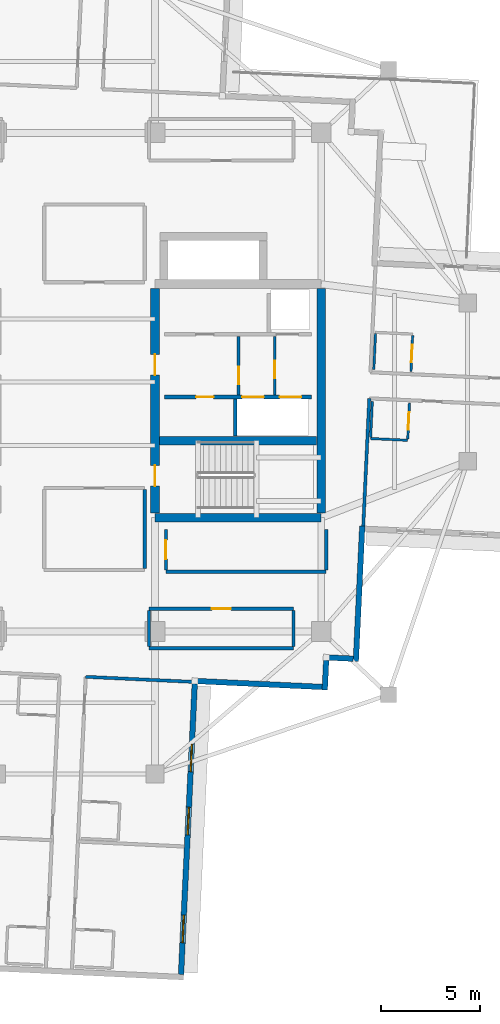
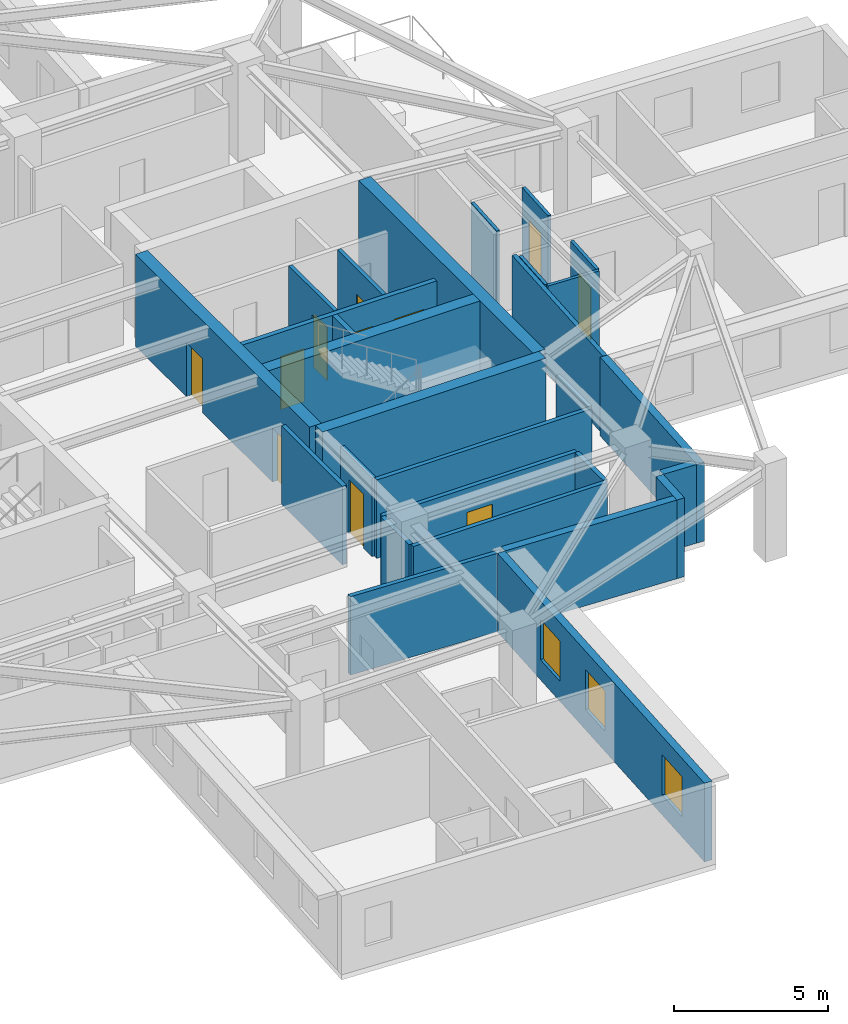
# One storey, part 5 of 13: 28 walls, 11 doors, 3 windows, 14 openings.
"""IFC4 building model written with IfcOpenShell, lengths in metres."""

from ifc_helpers import new_model, si_unit, direction, frame, frame_2d, origin, place, context, subcontext, project, spatial, rectangle, extrude, material, layer, layer_set, type_object, element, fill, save


model = new_model("IFC4")

# Units and contexts
model_context = context("Model", 3, precision=1e-05, world=origin(), true_north=direction((0.0, 1.0)))
body_context = subcontext(model_context, "Body", "Model", "MODEL_VIEW")
ifc_project = project(units=[si_unit("LENGTHUNIT", "METRE"), si_unit("AREAUNIT", "SQUARE_METRE"), si_unit("VOLUMEUNIT", "CUBIC_METRE"), si_unit("PLANEANGLEUNIT", "RADIAN"), si_unit("MASSUNIT", "GRAM", prefix="KILO")], contexts=[model_context])

# Site, building, storey
site_placement = place(None, origin())
site = spatial("IfcSite", under=ifc_project, at=site_placement, CompositionType="ELEMENT")
building_placement = place(site_placement, origin())
building = spatial("IfcBuilding", under=site, at=building_placement, Name="Qingluan Cross Belvedere", CompositionType="ELEMENT")
storey_placement = place(building_placement, frame((0.0, 0.0, 236.39990234375)))
storey = spatial("IfcBuildingStorey", under=building, at=storey_placement, Name="L59", CompositionType="ELEMENT", Elevation=236.39990234375)

# Wall
ifc_material_1 = material(Name="Concrete C50", Category="concrete")
ifc_layer_1 = layer(ifc_material_1, 0.449951171875, Name="CoreShearWall_450")
ifc_layer_set_1 = layer_set([ifc_layer_1], Name="Concrete C50")
wall_type_1 = type_object("IfcWallType", Name="CoreShearWall_450", PredefinedType="SHEAR", material=ifc_layer_set_1)
wall_1_placement = place(storey_placement, frame((4.0, -6.85009765625, 0.0), z_axis=(0.0, 0.0, 1.0), x_axis=(1.0, 0.0, 0.0)))
element("IfcWall", 1, at=wall_1_placement, inside=storey, type_object=wall_type_1, Name="Split core E shear wall L59-S", PredefinedType="SHEAR", context=body_context, shape_type="SweptSolid", body=[
    extrude(rectangle(XDim=8.39990234375, YDim=0.449951171875, at=frame_2d((4.199951171875, 0.0))), origin(), (0.0, 0.0, 1.0), 3.650146484375),
])

# Wall, openings, doors
wall_2_placement = place(storey_placement, frame((4.0, -6.6201171875, 0.0), z_axis=(0.0, 0.0, 1.0), x_axis=(0.0, 1.0, 0.0)))
wall_2 = element("IfcWall", 2, at=wall_2_placement, inside=storey, type_object=wall_type_1, Name="Split core E shear wall L59-W", PredefinedType="SHEAR", context=body_context, shape_type="SweptSolid", body=[
    extrude(rectangle(XDim=11.340087890625, YDim=0.449951171875, at=frame_2d((5.669921875, 0.0))), origin(), (0.0, 0.0, 1.0), 3.650146484375),
])
opening_1_placement = place(wall_2_placement, frame((1.3701171875, 0.0, 0.0)))
opening_1 = element("IfcOpeningElement", 3, at=opening_1_placement, cuts=wall_2, Name="Opening FD-B11", PredefinedType="OPENING", context=body_context, shape_type="SweptSolid", body=[
    extrude(rectangle(XDim=1.050048828125, YDim=2.14990234375, at=frame_2d((0.52490234375, 1.074951171875))), frame((0.0, 0.23486328125, 0.0), z_axis=(0.0, -1.0, 0.0), x_axis=(1.0, 0.0, 0.0)), (0.0, 0.0, 1.0), 0.469970703125),
])
opening_2_placement = place(wall_2_placement, frame((6.969970703125, 0.0, 0.0)))
opening_2 = element("IfcOpeningElement", 4, at=opening_2_placement, cuts=wall_2, Name="Opening FD-B11", PredefinedType="OPENING", context=body_context, shape_type="SweptSolid", body=[
    extrude(rectangle(XDim=1.050048828125, YDim=2.14990234375, at=frame_2d((0.52490234375, 1.074951171875))), frame((0.0, 0.23486328125, 0.0), z_axis=(0.0, -1.0, 0.0), x_axis=(1.0, 0.0, 0.0)), (0.0, 0.0, 1.0), 0.469970703125),
])
ifc_material_2 = material(Name="Steel Class B smoke-seal fire door", Category="steel")
door_type_1 = type_object("IfcDoorType", Name="StairLobbyFireDoor_FDB", OperationType="NOTDEFINED", PredefinedType="DOOR", material=ifc_material_2)
door_1_placement = place(opening_1_placement, origin())
door_1 = element("IfcDoor", 5, at=door_1_placement, inside=storey, type_object=door_type_1, Name="Smoke-proof stair ST2 fire door L59", OperationType="SINGLE_SWING_RIGHT", OverallHeight=2.14990234375, OverallWidth=1.050048828125, PredefinedType="DOOR", context=body_context, shape_type="SweptSolid", body=[
    extrude(rectangle(XDim=1.050048828125, YDim=2.14990234375, at=frame_2d((0.52490234375, 1.074951171875))), frame((0.0, 0.02490234375, 0.0), z_axis=(0.0, -1.0, 0.0), x_axis=(1.0, 0.0, 0.0)), (0.0, 0.0, 1.0), 0.050048828125),
])
fill(opening_1, door_1)
door_2_placement = place(opening_2_placement, origin())
door_2 = element("IfcDoor", 6, at=door_2_placement, inside=storey, type_object=door_type_1, Name="Firefighting lobby East fire door L59", OperationType="SINGLE_SWING_RIGHT", OverallHeight=2.14990234375, OverallWidth=1.050048828125, PredefinedType="DOOR", context=body_context, shape_type="SweptSolid", body=[
    extrude(rectangle(XDim=1.050048828125, YDim=2.14990234375, at=frame_2d((0.52490234375, 1.074951171875))), frame((0.0, 0.02490234375, 0.0), z_axis=(0.0, -1.0, 0.0), x_axis=(1.0, 0.0, 0.0)), (0.0, 0.0, 1.0), 0.050048828125),
])
fill(opening_2, door_2)

# Walls
wall_3_placement = place(storey_placement, frame((12.39990234375, -6.6201171875, 0.0), z_axis=(0.0, 0.0, 1.0), x_axis=(0.0, 1.0, 0.0)))
element("IfcWall", 7, at=wall_3_placement, inside=storey, type_object=wall_type_1, Name="Split core E shear wall L59-E", PredefinedType="SHEAR", context=body_context, shape_type="SweptSolid", body=[
    extrude(rectangle(XDim=11.340087890625, YDim=0.449951171875, at=frame_2d((5.669921875, 0.0))), origin(), (0.0, 0.0, 1.0), 3.650146484375),
])
wall_4_placement = place(storey_placement, frame((4.22998046875, -2.9599609375, 0.0), z_axis=(0.0, 0.0, 1.0), x_axis=(1.0, 0.0, 0.0)))
element("IfcWall", 8, at=wall_4_placement, inside=storey, type_object=wall_type_1, Name="Split core E shear wall L59-M", PredefinedType="SHEAR", context=body_context, shape_type="SweptSolid", body=[
    extrude(rectangle(XDim=7.93994140625, YDim=0.449951171875, at=frame_2d((3.969970703125, 0.0))), origin(), (0.0, 0.0, 1.0), 3.650146484375),
])

# Wall, opening, door
ifc_material_3 = material(Name="Gypsum plasterboard on steel stud acoustic partition", Category="steel")
ifc_layer_2 = layer(ifc_material_3, 0.159912109375, Name="CorridorPartition_160")
ifc_layer_set_2 = layer_set([ifc_layer_2], Name="Gypsum plasterboard on steel stud acoustic partition")
wall_type_2 = type_object("IfcWallType", Name="CorridorPartition_160", PredefinedType="PARTITIONING", material=ifc_layer_set_2)
wall_5_placement = place(storey_placement, frame((10.050048828125, -0.652099609375, 0.0), z_axis=(0.0, 0.0, 1.0), x_axis=(0.0, 1.0, 0.0)))
wall_5 = element("IfcWall", 9, at=wall_5_placement, inside=storey, type_object=wall_type_2, Name="Partition L59:ev", PredefinedType="PARTITIONING", context=body_context, shape_type="SweptSolid", body=[
    extrude(rectangle(XDim=2.962158203125, YDim=0.139892578125, at=frame_2d((1.48095703125, 0.0))), origin(), (0.0, 0.0, 1.0), 3.1201171875),
])
opening_3_placement = place(wall_5_placement, frame((0.85009765625, 0.0, 0.0)))
opening_3 = element("IfcOpeningElement", 10, at=opening_3_placement, cuts=wall_5, Name="Opening FD-B10", PredefinedType="OPENING", context=body_context, shape_type="SweptSolid", body=[
    extrude(rectangle(XDim=0.8798828125, YDim=2.10009765625, at=frame_2d((0.43994140625, 1.050048828125))), frame((0.0, 0.079833984375, 0.0), z_axis=(0.0, -1.0, 0.0), x_axis=(1.0, 0.0, 0.0)), (0.0, 0.0, 1.0), 0.159912109375),
])
ifc_material_4 = material(Name="Steel Class B service fire door", Category="steel")
door_type_2 = type_object("IfcDoorType", Name="RiserServiceFireDoor_FDB", OperationType="NOTDEFINED", PredefinedType="DOOR", material=ifc_material_4)
door_3_placement = place(opening_3_placement, origin())
door_3 = element("IfcDoor", 11, at=door_3_placement, inside=storey, type_object=door_type_2, Name="Service closet inner door L59", OperationType="SINGLE_SWING_LEFT", OverallHeight=2.10009765625, OverallWidth=0.8798828125, PredefinedType="DOOR", context=body_context, shape_type="SweptSolid", body=[
    extrude(rectangle(XDim=0.8798828125, YDim=2.10009765625, at=frame_2d((0.43994140625, 1.050048828125))), frame((0.0, 0.02490234375, 0.0), z_axis=(0.0, -1.0, 0.0), x_axis=(1.0, 0.0, 0.0)), (0.0, 0.0, 1.0), 0.050048828125),
])
fill(opening_3, door_3)

# Wall
wall_6_placement = place(storey_placement, frame((3.699951171875, -13.449951171875, 0.0), z_axis=(0.0, 0.0, 1.0), x_axis=(1.0, 0.0, 0.0)))
element("IfcWall", 12, at=wall_6_placement, inside=storey, type_object=wall_type_2, Name="Partition L59:q_se:S", PredefinedType="PARTITIONING", context=body_context, shape_type="SweptSolid", body=[
    extrude(rectangle(XDim=7.300048828125, YDim=0.159912109375, at=frame_2d((3.64990234375, 0.0))), origin(), (0.0, 0.0, 1.0), 3.1201171875),
])

# Wall, opening, door
wall_7_placement = place(storey_placement, frame((3.699951171875, -11.449951171875, 0.0), z_axis=(0.0, 0.0, 1.0), x_axis=(1.0, 0.0, 0.0)))
wall_7 = element("IfcWall", 13, at=wall_7_placement, inside=storey, type_object=wall_type_2, Name="Partition L59:q_se:N", PredefinedType="PARTITIONING", context=body_context, shape_type="SweptSolid", body=[
    extrude(rectangle(XDim=7.300048828125, YDim=0.159912109375, at=frame_2d((3.64990234375, 0.0))), origin(), (0.0, 0.0, 1.0), 3.1201171875),
])
opening_4_placement = place(wall_7_placement, frame((3.169921875, 0.0, 0.0)))
opening_4 = element("IfcOpeningElement", 14, at=opening_4_placement, cuts=wall_7, Name="Opening GD-10", PredefinedType="OPENING", context=body_context, shape_type="SweptSolid", body=[
    extrude(rectangle(XDim=0.9599609375, YDim=2.14990234375, at=frame_2d((0.47998046875, 1.074951171875))), frame((0.0, 0.08984375, 0.0), z_axis=(0.0, -1.0, 0.0), x_axis=(1.0, 0.0, 0.0)), (0.0, 0.0, 1.0), 0.179931640625),
])
ifc_material_5 = material(Name="Timber oak fire-rated acoustic guestroom door", Category="wood")
door_type_3 = type_object("IfcDoorType", Name="GuestEntryDoor_FD60", OperationType="NOTDEFINED", PredefinedType="DOOR", material=ifc_material_5)
door_4_placement = place(opening_4_placement, origin())
door_4 = element("IfcDoor", 15, at=door_4_placement, inside=storey, type_object=door_type_3, Name="Sky conservatory lounge L59 door", OperationType="SINGLE_SWING_RIGHT", OverallHeight=2.14990234375, OverallWidth=0.9599609375, PredefinedType="DOOR", context=body_context, shape_type="SweptSolid", body=[
    extrude(rectangle(XDim=0.9599609375, YDim=2.14990234375, at=frame_2d((0.47998046875, 1.074951171875))), frame((0.0, 0.02490234375, 0.0), z_axis=(0.0, -1.0, 0.0), x_axis=(1.0, 0.0, 0.0)), (0.0, 0.0, 1.0), 0.050048828125),
])
fill(opening_4, door_4)

# Walls
for number, where, z_axis, x_axis, name in (
    (16, (3.699951171875, -13.364990234375, 0.0), (0.0, 0.0, 1.0), (0.0, 1.0, 0.0), "Partition L59:q_se:W"),
    (17, (11.0, -13.364990234375, 0.0), (0.0, 0.0, 1.0), (0.0, 1.0, 0.0), "Partition L59:q_se:E"),
):
    element("IfcWall", number, at=place(storey_placement, frame(where, z_axis=z_axis, x_axis=x_axis)), inside=storey, type_object=wall_type_2, Name=name, PredefinedType="PARTITIONING", context=body_context, shape_type="SweptSolid", body=[
        extrude(rectangle(XDim=1.830078125, YDim=0.159912109375, at=frame_2d((0.9150390625, 0.0))), origin(), (0.0, 0.0, 1.0), 3.1201171875),
    ])
wall_8_placement = place(storey_placement, frame((3.47998046875, -9.4150390625, 0.0), z_axis=(0.0, 0.0, 1.0), x_axis=(0.0, 1.0, 0.0)))
element("IfcWall", 18, at=wall_8_placement, inside=storey, type_object=wall_type_2, Name="Partition L59:sky_south_alcove:E", PredefinedType="PARTITIONING", context=body_context, shape_type="SweptSolid", body=[
    extrude(rectangle(XDim=3.97998046875, YDim=0.159912109375, at=frame_2d((1.989990234375, 0.0))), origin(), (0.0, 0.0, 1.0), 3.1201171875),
])
wall_9_placement = place(storey_placement, frame((4.550048828125, -9.580078125, 0.0), z_axis=(0.0, 0.0, 1.0), x_axis=(1.0, 0.0, 0.0)))
element("IfcWall", 19, at=wall_9_placement, inside=storey, type_object=wall_type_2, Name="Partition L59:rec_st4:S", PredefinedType="PARTITIONING", context=body_context, shape_type="SweptSolid", body=[
    extrude(rectangle(XDim=8.099853515625, YDim=0.159912109375, at=frame_2d((4.0498046875, 0.0))), origin(), (0.0, 0.0, 1.0), 3.1201171875),
])

# Wall, opening, door
wall_10_placement = place(storey_placement, frame((4.550048828125, -9.4951171875, 0.0), z_axis=(0.0, 0.0, 1.0), x_axis=(0.0, 1.0, 0.0)))
wall_10 = element("IfcWall", 20, at=wall_10_placement, inside=storey, type_object=wall_type_2, Name="Partition L59:rec_st4:W", PredefinedType="PARTITIONING", context=body_context, shape_type="SweptSolid", body=[
    extrude(rectangle(XDim=2.06005859375, YDim=0.159912109375, at=frame_2d((1.030029296875, 0.0))), origin(), (0.0, 0.0, 1.0), 3.1201171875),
])
opening_5_placement = place(wall_10_placement, frame((0.550048828125, 0.0, 0.0)))
opening_5 = element("IfcOpeningElement", 21, at=opening_5_placement, cuts=wall_10, Name="Opening GD-10", PredefinedType="OPENING", context=body_context, shape_type="SweptSolid", body=[
    extrude(rectangle(XDim=0.9599609375, YDim=2.14990234375, at=frame_2d((0.47998046875, 1.074951171875))), frame((0.0, 0.08984375, 0.0), z_axis=(0.0, -1.0, 0.0), x_axis=(1.0, 0.0, 0.0)), (0.0, 0.0, 1.0), 0.179931640625),
])
door_5_placement = place(opening_5_placement, origin())
door_5 = element("IfcDoor", 22, at=door_5_placement, inside=storey, type_object=door_type_3, Name="Southeast club library room L59 door", OperationType="SINGLE_SWING_RIGHT", OverallHeight=2.14990234375, OverallWidth=0.9599609375, PredefinedType="DOOR", context=body_context, shape_type="SweptSolid", body=[
    extrude(rectangle(XDim=0.9599609375, YDim=2.14990234375, at=frame_2d((0.47998046875, 1.074951171875))), frame((0.0, 0.02490234375, 0.0), z_axis=(0.0, -1.0, 0.0), x_axis=(1.0, 0.0, 0.0)), (0.0, 0.0, 1.0), 0.050048828125),
])
fill(opening_5, door_5)

# Walls
wall_11_placement = place(storey_placement, frame((12.64990234375, -9.4951171875, 0.0), z_axis=(0.0, 0.0, 1.0), x_axis=(0.0, 1.0, 0.0)))
element("IfcWall", 23, at=wall_11_placement, inside=storey, type_object=wall_type_2, Name="Partition L59:rec_st4:E", PredefinedType="PARTITIONING", context=body_context, shape_type="SweptSolid", body=[
    extrude(rectangle(XDim=2.06005859375, YDim=0.159912109375, at=frame_2d((1.030029296875, 0.0))), origin(), (0.0, 0.0, 1.0), 3.1201171875),
])
wall_12_placement = place(storey_placement, frame((14.827880859375, -0.8193359375, 0.0), z_axis=(0.0, 0.0, 1.0), x_axis=(-0.047108518237, -0.998889777458, 0.0)))
element("IfcWall", 24, at=wall_12_placement, inside=storey, type_object=wall_type_2, Name="Partition L59:E:s1", PredefinedType="PARTITIONING", context=body_context, shape_type="SweptSolid", body=[
    extrude(rectangle(XDim=6.4521484375, YDim=0.159912109375, at=frame_2d((3.22607421875, 0.0))), origin(), (0.0, 0.0, 1.0), 3.1201171875),
])
wall_13_placement = place(storey_placement, frame((0.4990234375, -14.889892578125, 0.0), z_axis=(0.0, 0.0, 1.0), x_axis=(0.998887962773, -0.047146981108, 0.0)))
element("IfcWall", 25, at=wall_13_placement, inside=storey, type_object=wall_type_2, Name="Partition L59:S:s0", PredefinedType="PARTITIONING", context=body_context, shape_type="SweptSolid", body=[
    extrude(rectangle(XDim=5.52001953125, YDim=0.159912109375, at=frame_2d((2.760009765625, 0.0))), origin(), (0.0, 0.0, 1.0), 3.1201171875),
])

# Wall, opening, door
ifc_material_6 = material(Name="Moisture-resistant gypsum board lining")
ifc_layer_3 = layer(ifc_material_6, 0.1201171875, Name="EnsuiteWetPartition_120")
ifc_layer_set_3 = layer_set([ifc_layer_3], Name="Moisture-resistant gypsum board lining")
wall_type_3 = type_object("IfcWallType", Name="EnsuiteWetPartition_120", PredefinedType="PARTITIONING", material=ifc_layer_set_3)
wall_14_placement = place(storey_placement, frame((16.934326171875, 0.54296875, 0.0), z_axis=(0.0, 0.0, 1.0), x_axis=(0.047087116047, 0.998890786574, 0.0)))
wall_14 = element("IfcWall", 26, at=wall_14_placement, inside=storey, type_object=wall_type_3, Name="Partition L59:E:bs0_0", PredefinedType="PARTITIONING", context=body_context, shape_type="SweptSolid", body=[
    extrude(rectangle(XDim=1.81982421875, YDim=0.1201171875, at=frame_2d((0.909912109375, 0.0))), origin(), (0.0, 0.0, 1.0), 3.1201171875),
])
opening_6_placement = place(wall_14_placement, frame((0.469970703125, 0.0, 0.0)))
opening_6 = element("IfcOpeningElement", 27, at=opening_6_placement, cuts=wall_14, Name="Opening BD-09", PredefinedType="OPENING", context=body_context, shape_type="SweptSolid", body=[
    extrude(rectangle(XDim=0.8798828125, YDim=2.10009765625, at=frame_2d((0.43994140625, 1.050048828125))), frame((0.0, 0.070068359375, 0.0), z_axis=(0.0, -1.0, 0.0), x_axis=(1.0, 0.0, 0.0)), (0.0, 0.0, 1.0), 0.14013671875),
])
ifc_material_7 = material(Name="Moisture-sealed timber en-suite door", Category="wood")
door_type_4 = type_object("IfcDoorType", Name="BathroomDoor_880", OperationType="NOTDEFINED", PredefinedType="DOOR", material=ifc_material_7)
door_6_placement = place(opening_6_placement, origin())
door_6 = element("IfcDoor", 28, at=door_6_placement, inside=storey, type_object=door_type_4, Name="Bathroom door 5901", OperationType="SINGLE_SWING_LEFT", OverallHeight=2.10009765625, OverallWidth=0.8798828125, PredefinedType="DOOR", context=body_context, shape_type="SweptSolid", body=[
    extrude(rectangle(XDim=0.8798828125, YDim=2.10009765625, at=frame_2d((0.43994140625, 1.050048828125))), frame((0.0, 0.02490234375, 0.0), z_axis=(0.0, -1.0, 0.0), x_axis=(1.0, 0.0, 0.0)), (0.0, 0.0, 1.0), 0.050048828125),
])
fill(opening_6, door_6)

# Wall
wall_15_placement = place(storey_placement, frame((15.056396484375, 0.63134765625, 0.0), z_axis=(0.0, 0.0, 1.0), x_axis=(0.047080807099, 0.998891083954, 0.0)))
element("IfcWall", 29, at=wall_15_placement, inside=storey, type_object=wall_type_3, Name="Partition L59:E:bw0_0", PredefinedType="PARTITIONING", context=body_context, shape_type="SweptSolid", body=[
    extrude(rectangle(XDim=1.820068359375, YDim=0.1201171875, at=frame_2d((0.91015625, 0.0))), origin(), (0.0, 0.0, 1.0), 3.1201171875),
])

# Wall, opening, door
wall_16_placement = place(storey_placement, frame((16.773193359375, -2.873291015625, 0.0), z_axis=(0.0, 0.0, 1.0), x_axis=(0.047087116047, 0.998890786574, 0.0)))
wall_16 = element("IfcWall", 30, at=wall_16_placement, inside=storey, type_object=wall_type_3, Name="Partition L59:E:bs1_0", PredefinedType="PARTITIONING", context=body_context, shape_type="SweptSolid", body=[
    extrude(rectangle(XDim=1.81982421875, YDim=0.1201171875, at=frame_2d((0.909912109375, 0.0))), origin(), (0.0, 0.0, 1.0), 3.1201171875),
])
opening_7_placement = place(wall_16_placement, frame((0.469970703125, 0.0, 0.0)))
opening_7 = element("IfcOpeningElement", 31, at=opening_7_placement, cuts=wall_16, Name="Opening BD-09", PredefinedType="OPENING", context=body_context, shape_type="SweptSolid", body=[
    extrude(rectangle(XDim=0.8798828125, YDim=2.10009765625, at=frame_2d((0.43994140625, 1.050048828125))), frame((0.0, 0.070068359375, 0.0), z_axis=(0.0, -1.0, 0.0), x_axis=(1.0, 0.0, 0.0)), (0.0, 0.0, 1.0), 0.14013671875),
])
door_7_placement = place(opening_7_placement, origin())
door_7 = element("IfcDoor", 32, at=door_7_placement, inside=storey, type_object=door_type_4, Name="Bathroom door 5903", OperationType="SINGLE_SWING_LEFT", OverallHeight=2.10009765625, OverallWidth=0.8798828125, PredefinedType="DOOR", context=body_context, shape_type="SweptSolid", body=[
    extrude(rectangle(XDim=0.8798828125, YDim=2.10009765625, at=frame_2d((0.43994140625, 1.050048828125))), frame((0.0, 0.02490234375, 0.0), z_axis=(0.0, -1.0, 0.0), x_axis=(1.0, 0.0, 0.0)), (0.0, 0.0, 1.0), 0.050048828125),
])
fill(opening_7, door_7)

# Walls
wall_17_placement = place(storey_placement, frame((14.8955078125, -2.784912109375, 0.0), z_axis=(0.0, 0.0, 1.0), x_axis=(0.047080807099, 0.998891083954, 0.0)))
element("IfcWall", 33, at=wall_17_placement, inside=storey, type_object=wall_type_3, Name="Partition L59:E:bw1_0", PredefinedType="PARTITIONING", context=body_context, shape_type="SweptSolid", body=[
    extrude(rectangle(XDim=1.820068359375, YDim=0.1201171875, at=frame_2d((0.91015625, 0.0))), origin(), (0.0, 0.0, 1.0), 3.1201171875),
])
wall_18_placement = place(storey_placement, frame((14.892333984375, -2.849609375, 0.0), z_axis=(0.0, 0.0, 1.0), x_axis=(0.998888319371, -0.047139425368, 0.0)))
element("IfcWall", 34, at=wall_18_placement, inside=storey, type_object=wall_type_3, Name="Partition L59:E:bc1_0", PredefinedType="PARTITIONING", context=body_context, shape_type="SweptSolid", body=[
    extrude(rectangle(XDim=1.880126953125, YDim=0.1201171875, at=frame_2d((0.93994140625, 0.0))), origin(), (0.0, 0.0, 1.0), 3.1201171875),
])

# Wall, openings, windows
ifc_material_8 = material(Name="Precast concrete C45", Category="concrete")
ifc_layer_4 = layer(ifc_material_8, 0.280029296875, Name="PrecastFacadeWall_280")
ifc_layer_set_4 = layer_set([ifc_layer_4], Name="Precast concrete C45")
wall_type_4 = type_object("IfcWallType", Name="PrecastFacadeWall_280", PredefinedType="STANDARD", material=ifc_layer_set_4)
wall_19_placement = place(storey_placement, frame((5.31640625, -29.923583984375, 0.0), z_axis=(0.0, 0.0, 1.0), x_axis=(0.047101163748, 0.998890124275, 0.0)))
wall_19 = element("IfcWall", 35, at=wall_19_placement, inside=storey, type_object=wall_type_4, Name="Facade wall L59-SB", PredefinedType="STANDARD", context=body_context, shape_type="SweptSolid", body=[
    extrude(rectangle(XDim=14.699951171875, YDim=0.280029296875, at=frame_2d((7.35009765625, 0.0))), origin(), (0.0, 0.0, 1.0), 3.130126953125),
])
opening_8_placement = place(wall_19_placement, frame((1.60009765625, 0.0, 0.800048828125)))
opening_8 = element("IfcOpeningElement", 36, at=opening_8_placement, cuts=wall_19, Name="Opening W-01", PredefinedType="OPENING", context=body_context, shape_type="SweptSolid", body=[
    extrude(rectangle(XDim=1.39990234375, YDim=1.60009765625, at=frame_2d((0.699951171875, 0.800048828125))), frame((0.0, 0.14990234375, 0.0), z_axis=(0.0, -1.0, 0.0), x_axis=(1.0, 0.0, 0.0)), (0.0, 0.0, 1.0), 0.300048828125),
])
opening_9_placement = place(wall_19_placement, frame((7.050048828125, 0.0, 0.800048828125)))
opening_9 = element("IfcOpeningElement", 37, at=opening_9_placement, cuts=wall_19, Name="Opening W-01", PredefinedType="OPENING", context=body_context, shape_type="SweptSolid", body=[
    extrude(rectangle(XDim=1.39990234375, YDim=1.60009765625, at=frame_2d((0.699951171875, 0.800048828125))), frame((0.0, 0.14990234375, 0.0), z_axis=(0.0, -1.0, 0.0), x_axis=(1.0, 0.0, 0.0)), (0.0, 0.0, 1.0), 0.300048828125),
])
opening_10_placement = place(wall_19_placement, frame((10.25, 0.0, 0.800048828125)))
opening_10 = element("IfcOpeningElement", 38, at=opening_10_placement, cuts=wall_19, Name="Opening W-01", PredefinedType="OPENING", context=body_context, shape_type="SweptSolid", body=[
    extrude(rectangle(XDim=1.39990234375, YDim=1.60009765625, at=frame_2d((0.699951171875, 0.800048828125))), frame((0.0, 0.14990234375, 0.0), z_axis=(0.0, -1.0, 0.0), x_axis=(1.0, 0.0, 0.0)), (0.0, 0.0, 1.0), 0.300048828125),
])
ifc_material_9 = material(Name="Thermally broken triple Low-E glass in aluminium frame", Category="aluminium")
window_type = type_object("IfcWindowType", Name="TriRibbonWin_1400x1600", PartitioningType="SINGLE_PANEL", PredefinedType="WINDOW", material=ifc_material_9)
window_1_placement = place(opening_8_placement, origin())
window_1 = element("IfcWindow", 39, at=window_1_placement, inside=storey, type_object=window_type, Name="Ribbon window L59-SB-1", OverallHeight=1.60009765625, OverallWidth=1.39990234375, PartitioningType="SINGLE_PANEL", PredefinedType="WINDOW", context=body_context, shape_type="SweptSolid", body=[
    extrude(rectangle(XDim=1.39990234375, YDim=1.60009765625, at=frame_2d((0.699951171875, 0.800048828125))), frame((0.0, 0.030029296875, 0.0), z_axis=(0.0, -1.0, 0.0), x_axis=(1.0, 0.0, 0.0)), (0.0, 0.0, 1.0), 0.06005859375),
])
fill(opening_8, window_1)
window_2_placement = place(opening_9_placement, origin())
window_2 = element("IfcWindow", 40, at=window_2_placement, inside=storey, type_object=window_type, Name="Ribbon window L59-SB-2", OverallHeight=1.60009765625, OverallWidth=1.39990234375, PartitioningType="SINGLE_PANEL", PredefinedType="WINDOW", context=body_context, shape_type="SweptSolid", body=[
    extrude(rectangle(XDim=1.39990234375, YDim=1.60009765625, at=frame_2d((0.699951171875, 0.800048828125))), frame((0.0, 0.030029296875, 0.0), z_axis=(0.0, -1.0, 0.0), x_axis=(1.0, 0.0, 0.0)), (0.0, 0.0, 1.0), 0.06005859375),
])
fill(opening_9, window_2)
window_3_placement = place(opening_10_placement, origin())
window_3 = element("IfcWindow", 41, at=window_3_placement, inside=storey, type_object=window_type, Name="Ribbon window L59-SB-3", OverallHeight=1.60009765625, OverallWidth=1.39990234375, PartitioningType="SINGLE_PANEL", PredefinedType="WINDOW", context=body_context, shape_type="SweptSolid", body=[
    extrude(rectangle(XDim=1.39990234375, YDim=1.60009765625, at=frame_2d((0.699951171875, 0.800048828125))), frame((0.0, 0.030029296875, 0.0), z_axis=(0.0, -1.0, 0.0), x_axis=(1.0, 0.0, 0.0)), (0.0, 0.0, 1.0), 0.06005859375),
])
fill(opening_10, window_3)

# Walls
wall_20_placement = place(storey_placement, frame((14.4736328125, -7.27001953125, 0.0), z_axis=(0.0, 0.0, 1.0), x_axis=(-0.04712043756, -0.998889215261, 0.0)))
element("IfcWall", 42, at=wall_20_placement, inside=storey, type_object=wall_type_4, Name="Corner wall L59-SE1", PredefinedType="STANDARD", context=body_context, shape_type="SweptSolid", body=[
    extrude(rectangle(XDim=6.85986328125, YDim=0.280029296875, at=frame_2d((3.429931640625, 0.0))), origin(), (0.0, 0.0, 1.0), 3.130126953125),
])
wall_21_placement = place(storey_placement, frame((14.01708984375, -13.975830078125, 0.0), z_axis=(0.0, 0.0, 1.0), x_axis=(-0.998883930236, 0.047232339719, 0.0)))
element("IfcWall", 43, at=wall_21_placement, inside=storey, type_object=wall_type_4, Name="Corner wall L59-SE2", PredefinedType="STANDARD", context=body_context, shape_type="SweptSolid", body=[
    extrude(rectangle(XDim=1.219970703125, YDim=0.280029296875, at=frame_2d((0.60986328125, 0.0))), origin(), (0.0, 0.0, 1.0), 3.130126953125),
])
wall_22_placement = place(storey_placement, frame((12.652099609375, -14.051513671875, 0.0), z_axis=(0.0, 0.0, 1.0), x_axis=(-0.047039284441, -0.99889304018, 0.0)))
element("IfcWall", 44, at=wall_22_placement, inside=storey, type_object=wall_type_4, Name="Corner wall L59-SE3", PredefinedType="STANDARD", context=body_context, shape_type="SweptSolid", body=[
    extrude(rectangle(XDim=1.5, YDim=0.280029296875, at=frame_2d((0.75, 0.0))), origin(), (0.0, 0.0, 1.0), 3.130126953125),
])
wall_23_placement = place(storey_placement, frame((12.4482421875, -15.403564453125, 0.0), z_axis=(0.0, 0.0, 1.0), x_axis=(-0.998889082162, 0.047123258997, 0.0)))
element("IfcWall", 45, at=wall_23_placement, inside=storey, type_object=wall_type_4, Name="Corner wall L59-SE4", PredefinedType="STANDARD", context=body_context, shape_type="SweptSolid", body=[
    extrude(rectangle(XDim=6.300048828125, YDim=0.280029296875, at=frame_2d((3.14990234375, 0.0))), origin(), (0.0, 0.0, 1.0), 3.130126953125),
])

# Wall, openings, doors
ifc_material_10 = material(Name="Concrete C40", Category="concrete")
ifc_layer_5 = layer(ifc_material_10, 0.219970703125, Name="ShaftEnclosureWall_250")
ifc_layer_set_5 = layer_set([ifc_layer_5], Name="Concrete C40")
wall_type_5 = type_object("IfcWallType", Name="ShaftEnclosureWall_250", PredefinedType="SOLIDWALL", material=ifc_layer_set_5)
wall_24_placement = place(storey_placement, frame((4.47998046875, -0.75, 0.0), z_axis=(0.0, 0.0, 1.0), x_axis=(1.0, 0.0, 0.0)))
wall_24 = element("IfcWall", 46, at=wall_24_placement, inside=storey, type_object=wall_type_5, Name="Core-E mid hoistway wall L59", PredefinedType="SOLIDWALL", context=body_context, shape_type="SweptSolid", body=[
    extrude(rectangle(XDim=7.419921875, YDim=0.179931640625, at=frame_2d((3.7099609375, 0.0))), origin(), (0.0, 0.0, 1.0), 3.1201171875),
])
opening_11_placement = place(wall_24_placement, frame((3.919921875, 0.0, 0.0)))
opening_11 = element("IfcOpeningElement", 47, at=opening_11_placement, cuts=wall_24, Name="Opening LD-11", PredefinedType="OPENING", context=body_context, shape_type="SweptSolid", body=[
    extrude(rectangle(XDim=1.10009765625, YDim=2.14990234375, at=frame_2d((0.550048828125, 1.074951171875))), frame((0.0, 0.099853515625, 0.0), z_axis=(0.0, -1.0, 0.0), x_axis=(1.0, 0.0, 0.0)), (0.0, 0.0, 1.0), 0.199951171875),
])
opening_12_placement = place(wall_24_placement, frame((5.820068359375, 0.0, 0.0)))
opening_12 = element("IfcOpeningElement", 48, at=opening_12_placement, cuts=wall_24, Name="Opening LD-11", PredefinedType="OPENING", context=body_context, shape_type="SweptSolid", body=[
    extrude(rectangle(XDim=1.10009765625, YDim=2.14990234375, at=frame_2d((0.550048828125, 1.074951171875))), frame((0.0, 0.099853515625, 0.0), z_axis=(0.0, -1.0, 0.0), x_axis=(1.0, 0.0, 0.0)), (0.0, 0.0, 1.0), 0.199951171875),
])
opening_13_placement = place(wall_24_placement, frame((1.60009765625, 0.0, 0.0)))
opening_13 = element("IfcOpeningElement", 49, at=opening_13_placement, cuts=wall_24, Name="Opening FD-B10", PredefinedType="OPENING", context=body_context, shape_type="SweptSolid", body=[
    extrude(rectangle(XDim=0.8798828125, YDim=2.10009765625, at=frame_2d((0.43994140625, 1.050048828125))), frame((0.0, 0.099853515625, 0.0), z_axis=(0.0, -1.0, 0.0), x_axis=(1.0, 0.0, 0.0)), (0.0, 0.0, 1.0), 0.199951171875),
])
ifc_material_11 = material(Name="Brushed stainless steel centre-opening lift landing door", Category="steel")
door_type_5 = type_object("IfcDoorType", Name="LiftLandingSlidingDoor_1100", OperationType="DOUBLE_DOOR_SLIDING", PredefinedType="DOOR", material=ifc_material_11)
door_8_placement = place(opening_11_placement, origin())
door_8 = element("IfcDoor", 50, at=door_8_placement, inside=storey, type_object=door_type_5, Name="Lift landing sliding door LP9 L59", OperationType="DOUBLE_DOOR_SLIDING", OverallHeight=2.14990234375, OverallWidth=1.10009765625, PredefinedType="DOOR", context=body_context, shape_type="SweptSolid", body=[
    extrude(rectangle(XDim=1.10009765625, YDim=2.14990234375, at=frame_2d((0.550048828125, 1.074951171875))), frame((0.0, 0.02490234375, 0.0), z_axis=(0.0, -1.0, 0.0), x_axis=(1.0, 0.0, 0.0)), (0.0, 0.0, 1.0), 0.050048828125),
])
fill(opening_11, door_8)
door_9_placement = place(opening_12_placement, origin())
door_9 = element("IfcDoor", 51, at=door_9_placement, inside=storey, type_object=door_type_5, Name="Lift landing sliding door LP10 L59", OperationType="DOUBLE_DOOR_SLIDING", OverallHeight=2.14990234375, OverallWidth=1.10009765625, PredefinedType="DOOR", context=body_context, shape_type="SweptSolid", body=[
    extrude(rectangle(XDim=1.10009765625, YDim=2.14990234375, at=frame_2d((0.550048828125, 1.074951171875))), frame((0.0, 0.02490234375, 0.0), z_axis=(0.0, -1.0, 0.0), x_axis=(1.0, 0.0, 0.0)), (0.0, 0.0, 1.0), 0.050048828125),
])
fill(opening_12, door_9)
door_10_placement = place(opening_13_placement, origin())
door_10 = element("IfcDoor", 52, at=door_10_placement, inside=storey, type_object=door_type_2, Name="Upper-zone linen store door L59", OperationType="SINGLE_SWING_LEFT", OverallHeight=2.10009765625, OverallWidth=0.8798828125, PredefinedType="DOOR", context=body_context, shape_type="SweptSolid", body=[
    extrude(rectangle(XDim=0.8798828125, YDim=2.10009765625, at=frame_2d((0.43994140625, 1.050048828125))), frame((0.0, 0.02490234375, 0.0), z_axis=(0.0, -1.0, 0.0), x_axis=(1.0, 0.0, 0.0)), (0.0, 0.0, 1.0), 0.050048828125),
])
fill(opening_13, door_10)

# Wall
wall_25_placement = place(storey_placement, frame((8.06005859375, -2.72998046875, 0.0), z_axis=(0.0, 0.0, 1.0), x_axis=(0.0, 1.0, 0.0)))
element("IfcWall", 53, at=wall_25_placement, inside=storey, type_object=wall_type_5, Name="Hoistway enclosure divider LP9W L59", PredefinedType="SOLIDWALL", context=body_context, shape_type="SweptSolid", body=[
    extrude(rectangle(XDim=1.889892578125, YDim=0.179931640625, at=frame_2d((0.94482421875, 0.0))), origin(), (0.0, 0.0, 1.0), 3.1201171875),
])

# Wall, opening, door
wall_26_placement = place(storey_placement, frame((8.219970703125, -0.64990234375, 0.0), z_axis=(0.0, 0.0, 1.0), x_axis=(0.0, 1.0, 0.0)))
wall_26 = element("IfcWall", 54, at=wall_26_placement, inside=storey, type_object=wall_type_5, Name="Core-E service corridor wall L59", PredefinedType="SOLIDWALL", context=body_context, shape_type="SweptSolid", body=[
    extrude(rectangle(XDim=2.9599609375, YDim=0.139892578125, at=frame_2d((1.47998046875, 0.0))), origin(), (0.0, 0.0, 1.0), 3.1201171875),
])
opening_14_placement = place(wall_26_placement, frame((0.550048828125, 0.0, 0.0)))
opening_14 = element("IfcOpeningElement", 55, at=opening_14_placement, cuts=wall_26, Name="Opening FD-B10", PredefinedType="OPENING", context=body_context, shape_type="SweptSolid", body=[
    extrude(rectangle(XDim=0.8798828125, YDim=2.10009765625, at=frame_2d((0.43994140625, 1.050048828125))), frame((0.0, 0.079833984375, 0.0), z_axis=(0.0, -1.0, 0.0), x_axis=(1.0, 0.0, 0.0)), (0.0, 0.0, 1.0), 0.159912109375),
])
door_11_placement = place(opening_14_placement, origin())
door_11 = element("IfcDoor", 56, at=door_11_placement, inside=storey, type_object=door_type_2, Name="Core-E service room door L59", OperationType="SINGLE_SWING_LEFT", OverallHeight=2.10009765625, OverallWidth=0.8798828125, PredefinedType="DOOR", context=body_context, shape_type="SweptSolid", body=[
    extrude(rectangle(XDim=0.8798828125, YDim=2.10009765625, at=frame_2d((0.43994140625, 1.050048828125))), frame((0.0, 0.02490234375, 0.0), z_axis=(0.0, -1.0, 0.0), x_axis=(1.0, 0.0, 0.0)), (0.0, 0.0, 1.0), 0.050048828125),
])
fill(opening_14, door_11)

save(model, "model.ifc")
